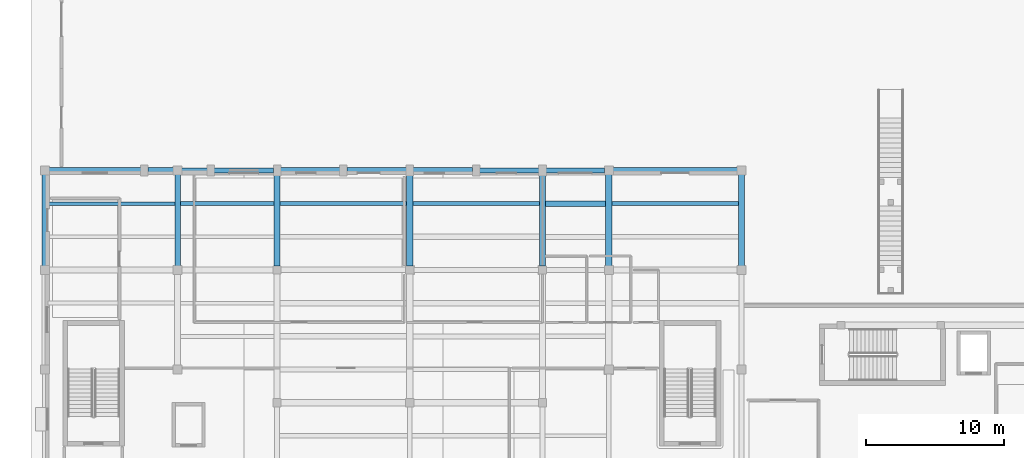
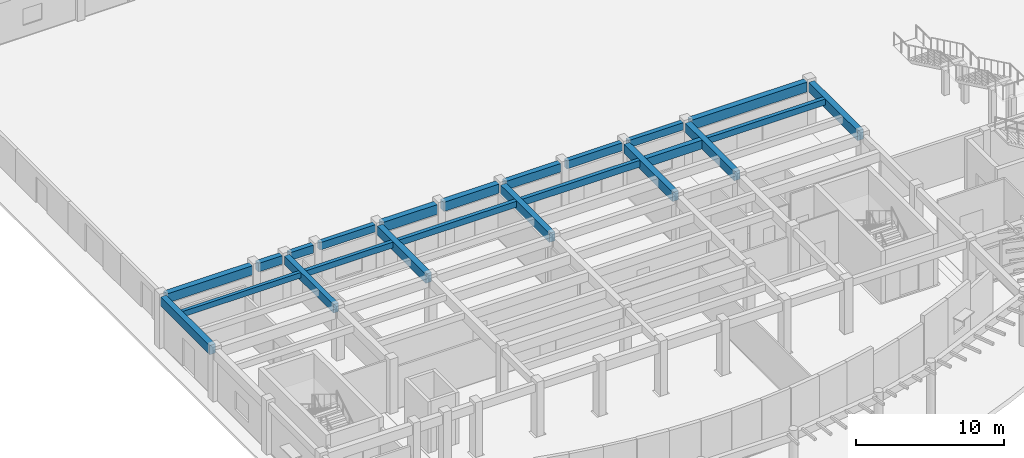
# One storey, part 11 of 58: 23 beams.
"""IFC4 building model written with IfcOpenShell, lengths in metres."""

from ifc_helpers import new_model, si_unit, direction, frame, origin, origin_2d, place, context, subcontext, project, spatial, rectangle, extrude, material, material_profile, profile_set, type_object, element, save


model = new_model("IFC4")

# Units and contexts
model_context = context("Model", 3, precision=1e-05, world=origin(), true_north=direction((0.0, 1.0)))
body_context = subcontext(model_context, "Body", "Model", "MODEL_VIEW")
ifc_project = project(units=[si_unit("LENGTHUNIT", "METRE"), si_unit("AREAUNIT", "SQUARE_METRE"), si_unit("VOLUMEUNIT", "CUBIC_METRE"), si_unit("PLANEANGLEUNIT", "RADIAN"), si_unit("MASSUNIT", "GRAM", prefix="KILO")], contexts=[model_context])

# Site, building, storey
site_placement = place(None, origin())
site = spatial("IfcSite", under=ifc_project, at=site_placement, CompositionType="ELEMENT")
building_placement = place(site_placement, origin())
building = spatial("IfcBuilding", under=site, at=building_placement, Name="Brisavento Harbour Community Centre", CompositionType="ELEMENT")
storey_placement = place(building_placement, origin())
storey = spatial("IfcBuildingStorey", under=building, at=storey_placement, Name="L00", CompositionType="ELEMENT", Elevation=0.0)

# Beams
ifc_material = material(Name="Concrete C35/45", Category="concrete")
ifc_material_profile_1 = material_profile(ifc_material, rectangle(XDim=0.260009765625, YDim=0.4599609375, at=origin_2d()), Name="Concrete C35/45")
ifc_profile_set_1 = profile_set([ifc_material_profile_1], Name="Concrete C35/45")
beam_type_1 = type_object("IfcBeamType", Name="BM-JST-260x460", PredefinedType="JOIST", material=ifc_profile_set_1)
beam_1_placement = place(storey_placement, frame((0.22509765625, 33.60009765625, 4.010009765625), z_axis=(1.0, 0.0, 0.0), x_axis=(0.0, 1.0, 0.0)))
element("IfcBeam", 1, at=beam_1_placement, inside=storey, type_object=beam_type_1, Name="L00 secondary floor joist 0126", PredefinedType="JOIST", context=body_context, shape_type="SweptSolid", body=[
    extrude(rectangle(XDim=0.260009765625, YDim=0.4599609375, at=origin_2d()), origin(), (0.0, 0.0, 1.0), 9.1748046875),
])
ifc_material_profile_2 = material_profile(ifc_material, rectangle(XDim=0.280029296875, YDim=0.47998046875, at=origin_2d()), Name="Concrete C35/45")
ifc_profile_set_2 = profile_set([ifc_material_profile_2], Name="Concrete C35/45")
beam_type_2 = type_object("IfcBeamType", Name="BM-JST-280x480", PredefinedType="JOIST", material=ifc_profile_set_2)
beam_2_placement = place(storey_placement, frame((9.800048828125, 33.60009765625, 4.0), z_axis=(1.0, 0.0, 0.0), x_axis=(0.0, 1.0, 0.0)))
element("IfcBeam", 2, at=beam_2_placement, inside=storey, type_object=beam_type_2, Name="L00 secondary floor joist 0136", PredefinedType="JOIST", context=body_context, shape_type="SweptSolid", body=[
    extrude(rectangle(XDim=0.280029296875, YDim=0.47998046875, at=origin_2d()), origin(), (0.0, 0.0, 1.0), 6.77490234375),
])
ifc_material_profile_3 = material_profile(ifc_material, rectangle(XDim=0.300048828125, YDim=0.5, at=origin_2d()), Name="Concrete C35/45")
ifc_profile_set_3 = profile_set([ifc_material_profile_3], Name="Concrete C35/45")
beam_type_3 = type_object("IfcBeamType", Name="BM-JST-300x500", PredefinedType="JOIST", material=ifc_profile_set_3)
for number, where, z_axis, x_axis, name in (
    (3, (17.02490234375, 33.60009765625, 3.989990234375), (1.0, 0.0, 0.0), (0.0, 1.0, 0.0), "L00 secondary floor joist 0144"),
    (4, (41.02490234375, 33.60009765625, 3.989990234375), (1.0, 0.0, 0.0), (0.0, 1.0, 0.0), "L00 secondary floor joist 0166"),
):
    element("IfcBeam", number, at=place(storey_placement, frame(where, z_axis=z_axis, x_axis=x_axis)), inside=storey, type_object=beam_type_3, Name=name, PredefinedType="JOIST", context=body_context, shape_type="SweptSolid", body=[
        extrude(rectangle(XDim=0.300048828125, YDim=0.5, at=origin_2d()), origin(), (0.0, 0.0, 1.0), 9.150146484375),
    ])
ifc_material_profile_4 = material_profile(ifc_material, rectangle(XDim=0.300048828125, YDim=0.550048828125, at=origin_2d()), Name="Concrete C35/45")
ifc_profile_set_4 = profile_set([ifc_material_profile_4], Name="Concrete C35/45")
beam_type_4 = type_object("IfcBeamType", Name="BM-JST-300x550", PredefinedType="JOIST", material=ifc_profile_set_4)
beam_3_placement = place(storey_placement, frame((26.625, 33.60009765625, 3.965087890625), z_axis=(1.0, 0.0, 0.0), x_axis=(0.0, 1.0, 0.0)))
element("IfcBeam", 5, at=beam_3_placement, inside=storey, type_object=beam_type_4, Name="L00 secondary floor joist 0154", PredefinedType="JOIST", context=body_context, shape_type="SweptSolid", body=[
    extrude(rectangle(XDim=0.300048828125, YDim=0.550048828125, at=origin_2d()), origin(), (0.0, 0.0, 1.0), 9.14990234375),
])
ifc_material_profile_5 = material_profile(ifc_material, rectangle(XDim=0.3798828125, YDim=0.719970703125, at=origin_2d()), Name="Concrete C35/45")
ifc_profile_set_5 = profile_set([ifc_material_profile_5], Name="Concrete C35/45")
beam_type_5 = type_object("IfcBeamType", Name="BM-JST-380x720", PredefinedType="JOIST", material=ifc_profile_set_5)
beam_4_placement = place(storey_placement, frame((36.22509765625, 33.60009765625, 3.8798828125), z_axis=(1.0, 0.0, 0.0), x_axis=(0.0, 1.0, 0.0)))
element("IfcBeam", 6, at=beam_4_placement, inside=storey, type_object=beam_type_5, Name="L00 secondary floor joist 0163", PredefinedType="JOIST", context=body_context, shape_type="SweptSolid", body=[
    extrude(rectangle(XDim=0.3798828125, YDim=0.719970703125, at=origin_2d()), origin(), (0.0, 0.0, 1.0), 4.349853515625),
])
ifc_material_profile_6 = material_profile(ifc_material, rectangle(XDim=0.35009765625, YDim=0.60009765625, at=origin_2d()), Name="Concrete C35/45")
ifc_profile_set_6 = profile_set([ifc_material_profile_6], Name="Concrete C35/45")
beam_type_6 = type_object("IfcBeamType", Name="BM-RC-350x600", PredefinedType="BEAM", material=ifc_profile_set_6)
beam_5_placement = place(storey_placement, frame((12.2451171875, 36.0, 3.93994140625), z_axis=(1.0, 0.0, 0.0), x_axis=(0.0, 1.0, 0.0)))
element("IfcBeam", 7, at=beam_5_placement, inside=storey, type_object=beam_type_6, Name="L00 primary girder X0284", PredefinedType="BEAM", context=body_context, shape_type="SweptSolid", body=[
    extrude(rectangle(XDim=0.35009765625, YDim=0.60009765625, at=origin_2d()), origin(), (0.0, 0.0, 1.0), 4.309814453125),
])
beam_6_placement = place(storey_placement, frame((36.2451171875, 36.0, 3.93994140625), z_axis=(1.0, 0.0, 0.0), x_axis=(0.0, 1.0, 0.0)))
element("IfcBeam", 8, at=beam_6_placement, inside=storey, type_object=beam_type_6, Name="L00 primary girder X0289", PredefinedType="BEAM", context=body_context, shape_type="SweptSolid", body=[
    extrude(rectangle(XDim=0.35009765625, YDim=0.60009765625, at=origin_2d()), origin(), (0.0, 0.0, 1.0), 4.259765625),
])
ifc_material_profile_7 = material_profile(ifc_material, rectangle(XDim=0.35009765625, YDim=0.64990234375, at=origin_2d()), Name="Concrete C35/45")
ifc_profile_set_7 = profile_set([ifc_material_profile_7], Name="Concrete C35/45")
beam_type_7 = type_object("IfcBeamType", Name="BM-RC-350x650", PredefinedType="BEAM", material=ifc_profile_set_7)
beam_7_placement = place(storey_placement, frame((9.89501953125, 36.0, 3.9150390625), z_axis=(1.0, 0.0, 0.0), x_axis=(0.0, 1.0, 0.0)))
element("IfcBeam", 9, at=beam_7_placement, inside=storey, type_object=beam_type_7, Name="L00 primary girder X0283", PredefinedType="BEAM", context=body_context, shape_type="SweptSolid", body=[
    extrude(rectangle(XDim=0.35009765625, YDim=0.64990234375, at=origin_2d()), origin(), (0.0, 0.0, 1.0), 1.85986328125),
])
beam_8_placement = place(storey_placement, frame((31.445068359375, 36.0, 3.9150390625), z_axis=(1.0, 0.0, 0.0), x_axis=(0.0, 1.0, 0.0)))
element("IfcBeam", 10, at=beam_8_placement, inside=storey, type_object=beam_type_7, Name="L00 primary girder X0288", PredefinedType="BEAM", context=body_context, shape_type="SweptSolid", body=[
    extrude(rectangle(XDim=0.35009765625, YDim=0.64990234375, at=origin_2d()), origin(), (0.0, 0.0, 1.0), 4.309814453125),
])
ifc_material_profile_8 = material_profile(ifc_material, rectangle(XDim=0.39990234375, YDim=0.699951171875, at=origin_2d()), Name="Concrete C35/45")
ifc_profile_set_8 = profile_set([ifc_material_profile_8], Name="Concrete C35/45")
beam_type_8 = type_object("IfcBeamType", Name="BM-RC-400x700", PredefinedType="BEAM", material=ifc_profile_set_8)
beam_9_placement = place(storey_placement, frame((7.445068359375, 36.0, 3.889892578125), z_axis=(1.0, 0.0, 0.0), x_axis=(0.0, 1.0, 0.0)))
element("IfcBeam", 11, at=beam_9_placement, inside=storey, type_object=beam_type_8, Name="L00 primary girder X0282", PredefinedType="BEAM", context=body_context, shape_type="SweptSolid", body=[
    extrude(rectangle(XDim=0.39990234375, YDim=0.699951171875, at=origin_2d()), origin(), (0.0, 0.0, 1.0), 1.85986328125),
])
beam_10_placement = place(storey_placement, frame((26.64501953125, 36.0, 3.889892578125), z_axis=(1.0, 0.0, 0.0), x_axis=(0.0, 1.0, 0.0)))
element("IfcBeam", 12, at=beam_10_placement, inside=storey, type_object=beam_type_8, Name="L00 primary girder X0287", PredefinedType="BEAM", context=body_context, shape_type="SweptSolid", body=[
    extrude(rectangle(XDim=0.39990234375, YDim=0.699951171875, at=origin_2d()), origin(), (0.0, 0.0, 1.0), 4.31005859375),
])
beam_11_placement = place(storey_placement, frame((9.60009765625, 29.094970703125, 3.889892578125), z_axis=(0.0, 1.0, 0.0), x_axis=(-1.0, 0.0, 0.0)))
element("IfcBeam", 13, at=beam_11_placement, inside=storey, type_object=beam_type_8, Name="L00 primary girder Y0332", PredefinedType="BEAM", context=body_context, shape_type="SweptSolid", body=[
    extrude(rectangle(XDim=0.39990234375, YDim=0.699951171875, at=origin_2d()), origin(), (0.0, 0.0, 1.0), 6.610107421875),
])
ifc_material_profile_9 = material_profile(ifc_material, rectangle(XDim=0.449951171875, YDim=0.75, at=origin_2d()), Name="Concrete C35/45")
ifc_profile_set_9 = profile_set([ifc_material_profile_9], Name="Concrete C35/45")
beam_type_9 = type_object("IfcBeamType", Name="BM-RC-450x750", PredefinedType="BEAM", material=ifc_profile_set_9)
beam_12_placement = place(storey_placement, frame((0.294921875, 36.0, 3.864990234375), z_axis=(1.0, 0.0, 0.0), x_axis=(0.0, 1.0, 0.0)))
element("IfcBeam", 14, at=beam_12_placement, inside=storey, type_object=beam_type_9, Name="L00 primary girder X0281", PredefinedType="BEAM", context=body_context, shape_type="SweptSolid", body=[
    extrude(rectangle(XDim=0.449951171875, YDim=0.75, at=origin_2d()), origin(), (0.0, 0.0, 1.0), 6.66015625),
])
beam_13_placement = place(storey_placement, frame((21.844970703125, 36.0, 3.864990234375), z_axis=(1.0, 0.0, 0.0), x_axis=(0.0, 1.0, 0.0)))
element("IfcBeam", 15, at=beam_13_placement, inside=storey, type_object=beam_type_9, Name="L00 primary girder X0286", PredefinedType="BEAM", context=body_context, shape_type="SweptSolid", body=[
    extrude(rectangle(XDim=0.449951171875, YDim=0.75, at=origin_2d()), origin(), (0.0, 0.0, 1.0), 4.31005859375),
])
beam_14_placement = place(storey_placement, frame((0.0, 29.094970703125, 3.864990234375), z_axis=(0.0, 1.0, 0.0), x_axis=(-1.0, 0.0, 0.0)))
element("IfcBeam", 16, at=beam_14_placement, inside=storey, type_object=beam_type_9, Name="L00 primary girder Y0326", PredefinedType="BEAM", context=body_context, shape_type="SweptSolid", body=[
    extrude(rectangle(XDim=0.449951171875, YDim=0.75, at=origin_2d()), origin(), (0.0, 0.0, 1.0), 6.610107421875),
])
for number, where, z_axis, x_axis, name in (
    (17, (16.800048828125, 29.070068359375, 3.864990234375), (0.0, 1.0, 0.0), (-1.0, 0.0, 0.0), "L00 primary girder Y0336"),
    (18, (26.39990234375, 29.070068359375, 3.864990234375), (0.0, 1.0, 0.0), (-1.0, 0.0, 0.0), "L00 primary girder Y0341"),
    (19, (36.0, 29.070068359375, 3.864990234375), (0.0, 1.0, 0.0), (-1.0, 0.0, 0.0), "L00 primary girder Y0346"),
):
    element("IfcBeam", number, at=place(storey_placement, frame(where, z_axis=z_axis, x_axis=x_axis)), inside=storey, type_object=beam_type_9, Name=name, PredefinedType="BEAM", context=body_context, shape_type="SweptSolid", body=[
        extrude(rectangle(XDim=0.449951171875, YDim=0.75, at=origin_2d()), origin(), (0.0, 0.0, 1.0), 6.559814453125),
    ])
beam_15_placement = place(storey_placement, frame((40.800048828125, 29.094970703125, 3.864990234375), z_axis=(0.0, 1.0, 0.0), x_axis=(-1.0, 0.0, 0.0)))
element("IfcBeam", 20, at=beam_15_placement, inside=storey, type_object=beam_type_9, Name="L00 primary girder Y0351", PredefinedType="BEAM", context=body_context, shape_type="SweptSolid", body=[
    extrude(rectangle(XDim=0.449951171875, YDim=0.75, at=origin_2d()), origin(), (0.0, 0.0, 1.0), 6.610107421875),
])
ifc_material_profile_10 = material_profile(ifc_material, rectangle(XDim=0.449951171875, YDim=0.800048828125, at=origin_2d()), Name="Concrete C35/45")
ifc_profile_set_10 = profile_set([ifc_material_profile_10], Name="Concrete C35/45")
beam_type_10 = type_object("IfcBeamType", Name="BM-RC-450x800", PredefinedType="BEAM", material=ifc_profile_set_10)
beam_16_placement = place(storey_placement, frame((17.044921875, 36.0, 3.840087890625), z_axis=(1.0, 0.0, 0.0), x_axis=(0.0, 1.0, 0.0)))
element("IfcBeam", 21, at=beam_16_placement, inside=storey, type_object=beam_type_10, Name="L00 primary girder X0285", PredefinedType="BEAM", context=body_context, shape_type="SweptSolid", body=[
    extrude(rectangle(XDim=0.449951171875, YDim=0.800048828125, at=origin_2d()), origin(), (0.0, 0.0, 1.0), 4.31005859375),
])
beam_17_placement = place(storey_placement, frame((41.094970703125, 36.0, 3.840087890625), z_axis=(1.0, 0.0, 0.0), x_axis=(0.0, 1.0, 0.0)))
element("IfcBeam", 22, at=beam_17_placement, inside=storey, type_object=beam_type_10, Name="L00 primary girder X0290", PredefinedType="BEAM", context=body_context, shape_type="SweptSolid", body=[
    extrude(rectangle(XDim=0.449951171875, YDim=0.800048828125, at=origin_2d()), origin(), (0.0, 0.0, 1.0), 9.010009765625),
])
beam_18_placement = place(storey_placement, frame((50.39990234375, 29.094970703125, 3.840087890625), z_axis=(0.0, 1.0, 0.0), x_axis=(-1.0, 0.0, 0.0)))
element("IfcBeam", 23, at=beam_18_placement, inside=storey, type_object=beam_type_10, Name="L00 primary girder Y0355", PredefinedType="BEAM", context=body_context, shape_type="SweptSolid", body=[
    extrude(rectangle(XDim=0.449951171875, YDim=0.800048828125, at=origin_2d()), origin(), (0.0, 0.0, 1.0), 6.610107421875),
])

save(model, "model.ifc")
